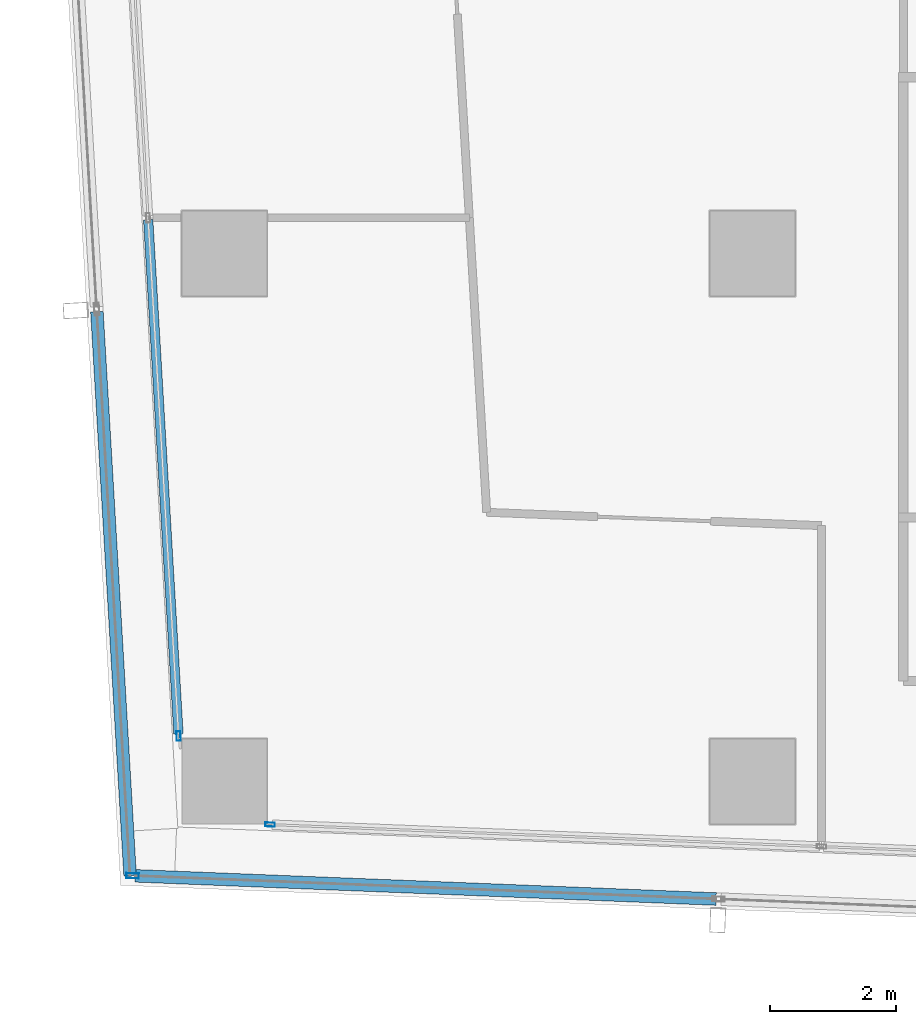
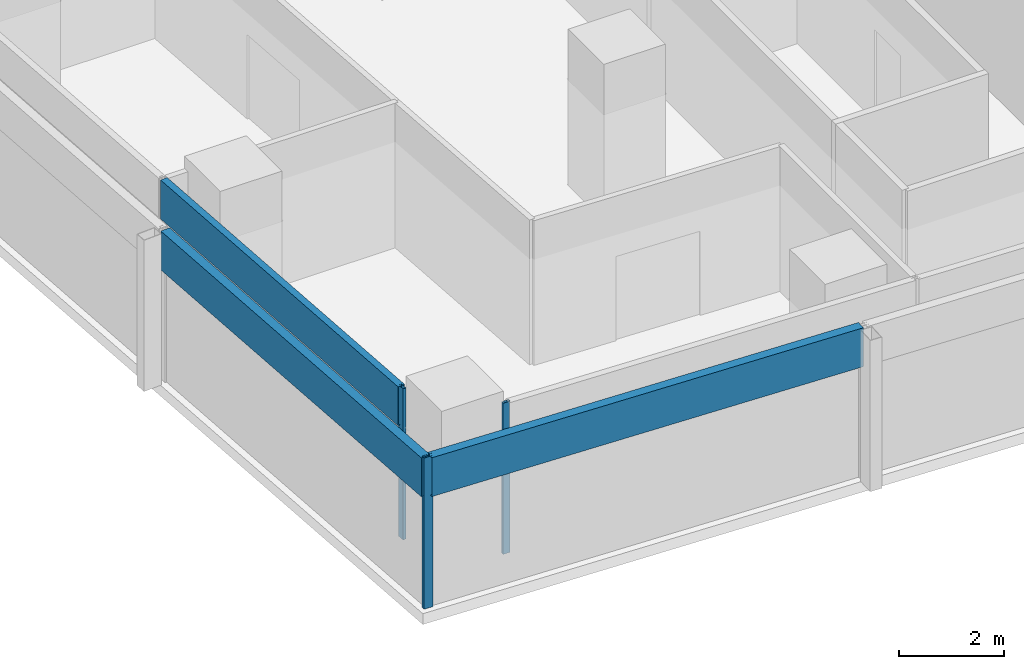
# One storey, part 2 of 38: 6 members, 4 elements without a shape of their own.
"""IFC4 building model written with IfcOpenShell, lengths in metres."""

from ifc_helpers import new_model, si_unit, direction, frame, origin, origin_2d, place, context, subcontext, project, spatial, hollow_rectangle, extrude, material, material_profile, profile_set, type_object, element, aggregate, save


model = new_model("IFC4")

# Units and contexts
model_context = context("Model", 3, precision=1e-05, world=origin(), true_north=direction((0.0, 1.0)))
body_context = subcontext(model_context, "Body", "Model", "MODEL_VIEW")
ifc_project = project(units=[si_unit("LENGTHUNIT", "METRE"), si_unit("AREAUNIT", "SQUARE_METRE"), si_unit("VOLUMEUNIT", "CUBIC_METRE"), si_unit("PLANEANGLEUNIT", "RADIAN"), si_unit("MASSUNIT", "GRAM", prefix="KILO")], contexts=[model_context])

# Site, building, storey
site_placement = place(None, origin())
site = spatial("IfcSite", under=ifc_project, at=site_placement, CompositionType="ELEMENT")
building_placement = place(site_placement, origin())
building = spatial("IfcBuilding", under=site, at=building_placement, Name="Rekha Terrace Tower", CompositionType="ELEMENT")
storey_placement = place(building_placement, frame((0.0, 0.0, 195.199951171875)))
storey = spatial("IfcBuildingStorey", under=building, at=storey_placement, Name="L49", CompositionType="ELEMENT", Elevation=195.199951171875)

# Curtain wall, member
ifc_material_1 = material(Name="Aluminium framing", Category="aluminium")
curtain_wall_type_1 = type_object("IfcCurtainWallType", Name="CW1 double skin inner glazing", PredefinedType="USERDEFINED", material=ifc_material_1)
curtain_wall_1_placement = place(storey_placement, origin())
curtain_wall_1 = element("IfcCurtainWall", 1, at=curtain_wall_1_placement, inside=storey, type_object=curtain_wall_type_1, Name="CW1 double skin inner glazing", ObjectType="DOUBLE SKIN INNER GLAZING", PredefinedType="USERDEFINED")
ifc_material_2 = material(Name="Aluminium mullion section", Category="aluminium")
ifc_material_profile_1 = material_profile(ifc_material_2, hollow_rectangle(XDim=0.06494140625, YDim=0.14990234375, WallThickness=0.00390625, at=origin_2d()), Name="AL RHS 65x150")
ifc_profile_set_1 = profile_set([ifc_material_profile_1], Name="Aluminium mullion section")
member_type_1 = type_object("IfcMemberType", Name="CW1 mullion RHS 65 x 150", PredefinedType="MULLION", material=ifc_profile_set_1)
member_1_placement = place(storey_placement, frame((9.127197265625, 16.115966796875, 0.0), z_axis=(0.0, 0.0, 1.0), x_axis=(0.039872497061, 0.999204775798, 0.0)))
member_1 = element("IfcMember", 2, at=member_1_placement, type_object=member_type_1, Name="CW1 mullion 1", PredefinedType="MULLION", context=body_context, shape_type="SweptSolid", body=[
    extrude(hollow_rectangle(XDim=0.06494140625, YDim=0.14990234375, WallThickness=0.00390625, at=origin_2d()), origin(), (0.0, 0.0, 1.0), 3.5),
])
aggregate(curtain_wall_1, [member_1])

# Curtain wall, members
curtain_wall_2_placement = place(storey_placement, origin())
curtain_wall_2 = element("IfcCurtainWall", 3, at=curtain_wall_2_placement, inside=storey, type_object=curtain_wall_type_1, Name="CW1 double skin inner glazing", ObjectType="DOUBLE SKIN INNER GLAZING", PredefinedType="USERDEFINED")
member_2_placement = place(storey_placement, frame((7.672119140625, 17.5244140625, 0.0), z_axis=(0.0, 0.0, 1.0), x_axis=(0.998271839269, 0.058765082516, 0.0)))
member_2 = element("IfcMember", 4, at=member_2_placement, type_object=member_type_1, Name="CW1 mullion 4", PredefinedType="MULLION", context=body_context, shape_type="SweptSolid", body=[
    extrude(hollow_rectangle(XDim=0.06494140625, YDim=0.14990234375, WallThickness=0.00390625, at=origin_2d()), origin(), (0.0, 0.0, 1.0), 3.5),
])
ifc_material_3 = material(Name="Insulated aluminium spandrel box", Category="aluminium")
ifc_material_profile_2 = material_profile(ifc_material_3, hollow_rectangle(XDim=0.14990234375, YDim=0.89990234375, WallThickness=0.0029296875, at=origin_2d()), Name="AL SPANDREL BOX 150x900")
ifc_profile_set_2 = profile_set([ifc_material_profile_2], Name="Insulated aluminium spandrel box")
member_type_2 = type_object("IfcMemberType", Name="CW1 spandrel transom 150 x 900", PredefinedType="USERDEFINED", material=ifc_profile_set_2)
member_3_placement = place(storey_placement, frame((7.188720703125, 25.733642578125, 3.050048828125), z_axis=(0.058777934282, -0.998271082643, 0.0), x_axis=(0.998271082643, 0.058777934282, 0.0)))
member_3 = element("IfcMember", 5, at=member_3_placement, type_object=member_type_2, Name="CW1 spandrel transom 3", ObjectType="TRANSOM", PredefinedType="USERDEFINED", context=body_context, shape_type="SweptSolid", body=[
    extrude(hollow_rectangle(XDim=0.14990234375, YDim=0.89990234375, WallThickness=0.0029296875, at=origin_2d()), origin(), (0.0, 0.0, 1.0), 8.19091796875),
])
aggregate(curtain_wall_2, [member_2, member_3])

curtain_wall_type_2 = type_object("IfcCurtainWallType", Name="CW2 double skin outer glazing", PredefinedType="USERDEFINED", material=ifc_material_1)
curtain_wall_3_placement = place(storey_placement, origin())
curtain_wall_3 = element("IfcCurtainWall", 6, at=curtain_wall_3_placement, inside=storey, type_object=curtain_wall_type_2, Name="CW2 double skin outer glazing", ObjectType="DOUBLE SKIN OUTER GLAZING", PredefinedType="USERDEFINED")
ifc_material_profile_3 = material_profile(ifc_material_2, hollow_rectangle(XDim=0.080078125, YDim=0.199951171875, WallThickness=0.00390625, at=origin_2d()), Name="AL RHS 80x200")
ifc_profile_set_3 = profile_set([ifc_material_profile_3], Name="Aluminium mullion section")
member_type_3 = type_object("IfcMemberType", Name="CW2 mullion RHS 80 x 200", PredefinedType="MULLION", material=ifc_profile_set_3)
member_4_placement = place(storey_placement, frame((6.941162109375, 15.302490234375, 0.0), z_axis=(0.0, 0.0, 1.0), x_axis=(0.039872497044, 0.999204775799, 0.0)))
member_4 = element("IfcMember", 7, at=member_4_placement, type_object=member_type_3, Name="CW2 mullion 1", PredefinedType="MULLION", context=body_context, shape_type="SweptSolid", body=[
    extrude(hollow_rectangle(XDim=0.080078125, YDim=0.199951171875, WallThickness=0.00390625, at=origin_2d()), origin(), (0.0, 0.0, 1.0), 3.5),
])
ifc_material_profile_4 = material_profile(ifc_material_3, hollow_rectangle(XDim=0.199951171875, YDim=0.89990234375, WallThickness=0.0029296875, at=origin_2d()), Name="AL SPANDREL BOX 200x900")
ifc_profile_set_4 = profile_set([ifc_material_profile_4], Name="Insulated aluminium spandrel box")
member_type_4 = type_object("IfcMemberType", Name="CW2 spandrel transom 200 x 900", PredefinedType="USERDEFINED", material=ifc_profile_set_4)
member_5_placement = place(storey_placement, frame((6.981201171875, 15.301025390625, 3.050048828125), z_axis=(0.999203782278, -0.039897386899, 0.0), x_axis=(0.039897386899, 0.999203782278, 0.0)))
member_5 = element("IfcMember", 8, at=member_5_placement, type_object=member_type_4, Name="CW2 spandrel transom 1", ObjectType="TRANSOM", PredefinedType="USERDEFINED", context=body_context, shape_type="SweptSolid", body=[
    extrude(hollow_rectangle(XDim=0.199951171875, YDim=0.89990234375, WallThickness=0.0029296875, at=origin_2d()), origin(), (0.0, 0.0, 1.0), 9.24609375),
])
aggregate(curtain_wall_3, [member_4, member_5])

# Curtain wall, member
curtain_wall_4_placement = place(storey_placement, origin())
curtain_wall_4 = element("IfcCurtainWall", 9, at=curtain_wall_4_placement, inside=storey, type_object=curtain_wall_type_2, Name="CW2 double skin outer glazing", ObjectType="DOUBLE SKIN OUTER GLAZING", PredefinedType="USERDEFINED")
member_6_placement = place(storey_placement, frame((6.373291015625, 24.27197265625, 3.050048828125), z_axis=(0.058757071111, -0.998272310842, 0.0), x_axis=(0.998272310842, 0.058757071111, 0.0)))
member_6 = element("IfcMember", 10, at=member_6_placement, type_object=member_type_4, Name="CW2 spandrel transom 3", ObjectType="TRANSOM", PredefinedType="USERDEFINED", context=body_context, shape_type="SweptSolid", body=[
    extrude(hollow_rectangle(XDim=0.199951171875, YDim=0.89990234375, WallThickness=0.0029296875, at=origin_2d()), origin(), (0.0, 0.0, 1.0), 8.9833984375),
])
aggregate(curtain_wall_4, [member_6])

save(model, "model.ifc")
